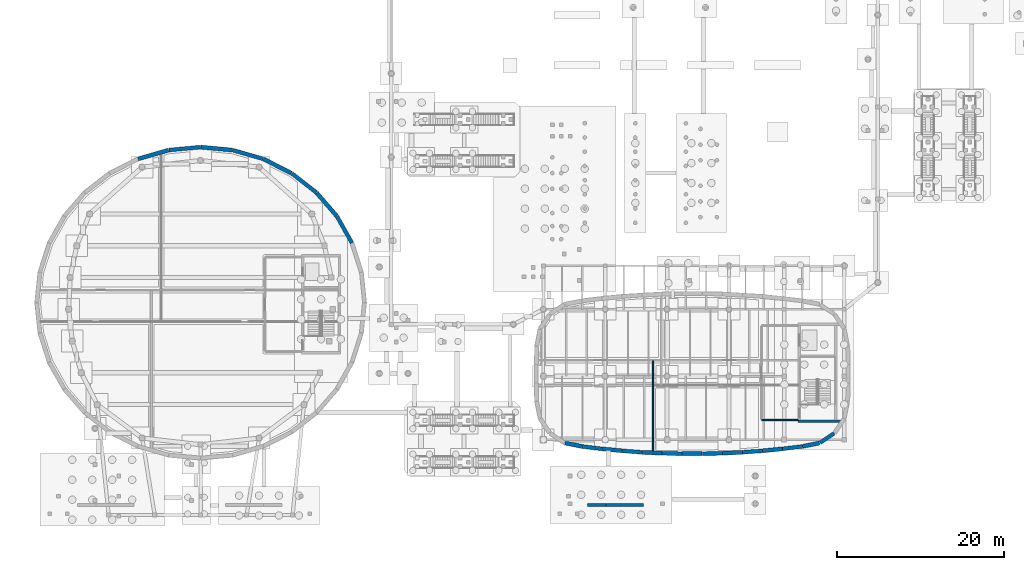
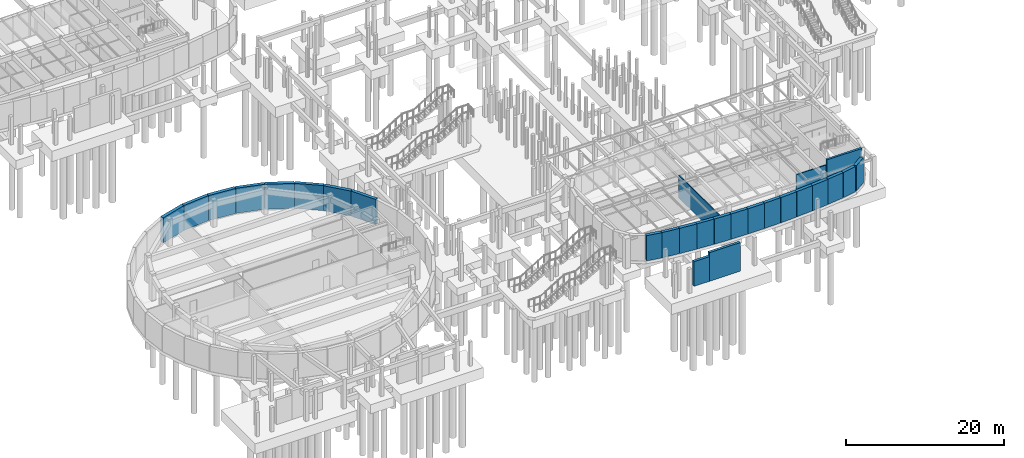
# One storey, part 33 of 45: 27 walls.
"""IFC4 building model written with IfcOpenShell, lengths in metres."""

from ifc_helpers import new_model, si_unit, direction, frame, frame_2d, origin, place, context, subcontext, project, spatial, rectangle, extrude, material, layer, layer_set, type_object, element, save


model = new_model("IFC4")

# Units and contexts
model_context = context("Model", 3, precision=1e-05, world=origin(), true_north=direction((0.0, 1.0)))
body_context = subcontext(model_context, "Body", "Model", "MODEL_VIEW")
ifc_project = project(units=[si_unit("LENGTHUNIT", "METRE"), si_unit("AREAUNIT", "SQUARE_METRE"), si_unit("VOLUMEUNIT", "CUBIC_METRE"), si_unit("PLANEANGLEUNIT", "RADIAN"), si_unit("MASSUNIT", "GRAM", prefix="KILO")], contexts=[model_context])

# Site, building, storey
site_placement = place(None, origin())
site = spatial("IfcSite", under=ifc_project, at=site_placement, CompositionType="ELEMENT")
building_placement = place(site_placement, origin())
building = spatial("IfcBuilding", under=site, at=building_placement, Name="Corveleigh Park Community Centre", CompositionType="ELEMENT")
storey_placement = place(building_placement, frame((0.0, 0.0, -4.199951171875)))
storey = spatial("IfcBuildingStorey", under=building, at=storey_placement, Name="B1", CompositionType="ELEMENT", Elevation=-4.199951171875)

# Walls
ifc_material_1 = material(Name="Gypsum acoustic stud partition", Category="gypsum")
ifc_layer_1 = layer(ifc_material_1, 0.14990234375, Name="Gypsum acoustic stud partition", Category="gypsum")
ifc_layer_set_1 = layer_set([ifc_layer_1], Name="Gypsum acoustic stud partition")
wall_type_1 = type_object("IfcWallType", Name="WL-PRT-150", PredefinedType="PARTITIONING", material=ifc_layer_set_1)
wall_1_placement = place(storey_placement, frame((98.10009765625, 13.550048828125, 0.0), z_axis=(0.0, 0.0, 1.0), x_axis=(1.0, 0.0, 0.0)))
element("IfcWall", 1, at=wall_1_placement, inside=storey, type_object=wall_type_1, Name="CORE4 lobby south wall", PredefinedType="PARTITIONING", context=body_context, shape_type="SweptSolid", body=[
    extrude(rectangle(XDim=4.364990234375, YDim=0.14990234375, at=frame_2d((2.1826171875, 0.0))), origin(), (0.0, 0.0, 1.0), 3.284912109375),
])
wall_2_placement = place(storey_placement, frame((85.10009765625, 9.862060546875, 0.0), z_axis=(0.0, 0.0, 1.0), x_axis=(0.0, 1.0, 0.0)))
element("IfcWall", 2, at=wall_2_placement, inside=storey, type_object=wall_type_1, Name="Community Food Pantry Store partition", PredefinedType="PARTITIONING", context=body_context, shape_type="SweptSolid", body=[
    extrude(rectangle(XDim=10.7919921875, YDim=0.14990234375, at=frame_2d((5.39599609375, 0.0))), origin(), (0.0, 0.0, 1.0), 3.47900390625),
])
ifc_material_2 = material(Name="Concrete C40/50", Category="concrete")
ifc_layer_2 = layer(ifc_material_2, 0.449951171875, Name="Concrete C40/50", Category="concrete")
ifc_layer_set_2 = layer_set([ifc_layer_2], Name="Concrete C40/50")
wall_type_2 = type_object("IfcWallType", Name="WL-RET-450", PredefinedType="STANDARD", material=ifc_layer_set_2)
wall_3_placement = place(storey_placement, frame((47.31201171875, 37.907958984375, 0.0), z_axis=(0.0, 0.0, 1.0), x_axis=(0.490660356263, -0.871350913692, 0.0)))
element("IfcWall", 3, at=wall_3_placement, inside=storey, type_object=wall_type_2, Name="V1 B1 retaining wall", PredefinedType="STANDARD", context=body_context, shape_type="SweptSolid", body=[
    extrude(rectangle(XDim=3.6298828125, YDim=0.449951171875, at=frame_2d((1.81494140625, 0.0))), origin(), (0.0, 0.0, 1.0), 3.866943359375),
])
wall_4_placement = place(storey_placement, frame((41.912109375, 43.047119140625, 0.0), z_axis=(0.0, 0.0, 1.0), x_axis=(0.788858786569, -0.614574499025, 0.0)))
element("IfcWall", 4, at=wall_4_placement, inside=storey, type_object=wall_type_2, Name="V1 B1 retaining wall", PredefinedType="STANDARD", context=body_context, shape_type="SweptSolid", body=[
    extrude(rectangle(XDim=3.705078125, YDim=0.449951171875, at=frame_2d((1.8525390625, 0.0))), origin(), (0.0, 0.0, 1.0), 3.866943359375),
])
wall_5_placement = place(storey_placement, frame((34.85205078125, 45.8349609375, 0.0), z_axis=(0.0, 0.0, 1.0), x_axis=(0.960930032161, -0.276791389481, 0.0)))
element("IfcWall", 5, at=wall_5_placement, inside=storey, type_object=wall_type_2, Name="V1 B1 retaining wall", PredefinedType="STANDARD", context=body_context, shape_type="SweptSolid", body=[
    extrude(rectangle(XDim=3.76806640625, YDim=0.449951171875, at=frame_2d((1.884033203125, 0.0))), origin(), (0.0, 0.0, 1.0), 3.866943359375),
])
wall_6_placement = place(storey_placement, frame((27.205078125, 45.845947265625, 0.0), z_axis=(0.0, 0.0, 1.0), x_axis=(0.995684868215, 0.092798939691, 0.0)))
element("IfcWall", 6, at=wall_6_placement, inside=storey, type_object=wall_type_2, Name="V1 B1 retaining wall", PredefinedType="STANDARD", context=body_context, shape_type="SweptSolid", body=[
    extrude(rectangle(XDim=3.783203125, YDim=0.449951171875, at=frame_2d((1.8916015625, 0.0))), origin(), (0.0, 0.0, 1.0), 3.866943359375),
])
wall_7_placement = place(storey_placement, frame((78.97998046875, 10.10791015625, 0.0), z_axis=(0.0, 0.0, 1.0), x_axis=(-0.99256366712, 0.121726606435, 0.0)))
element("IfcWall", 7, at=wall_7_placement, inside=storey, type_object=wall_type_2, Name="V3 B1 retaining wall", PredefinedType="STANDARD", context=body_context, shape_type="SweptSolid", body=[
    extrude(rectangle(XDim=2.3828125, YDim=0.449951171875, at=frame_2d((1.19140625, 0.0))), origin(), (0.0, 0.0, 1.0), 3.89697265625),
])
wall_8_placement = place(storey_placement, frame((83.777099609375, 9.698974609375, 0.0), z_axis=(0.0, 0.0, 1.0), x_axis=(-0.997372398559, 0.07244514195, 0.0)))
element("IfcWall", 8, at=wall_8_placement, inside=storey, type_object=wall_type_2, Name="V3 B1 retaining wall", PredefinedType="STANDARD", context=body_context, shape_type="SweptSolid", body=[
    extrude(rectangle(XDim=2.389404296875, YDim=0.449951171875, at=frame_2d((1.19482421875, 0.0))), origin(), (0.0, 0.0, 1.0), 3.89697265625),
])
for number, where, z_axis, x_axis, name in (
    (9, (88.5869140625, 9.52197265625, 0.0), (0.0, 0.0, 1.0), (-0.999704086624, 0.02432568987, 0.0), "V3 B1 retaining wall"),
    (10, (93.40087890625, 9.580078125, 0.0), (0.0, 0.0, 1.0), (-0.999704086624, -0.02432568987, 0.0), "V3 B1 retaining wall"),
):
    element("IfcWall", number, at=place(storey_placement, frame(where, z_axis=z_axis, x_axis=x_axis)), inside=storey, type_object=wall_type_2, Name=name, PredefinedType="STANDARD", context=body_context, shape_type="SweptSolid", body=[
        extrude(rectangle(XDim=2.388671875, YDim=0.449951171875, at=frame_2d((1.1943359375, 0.0))), origin(), (0.0, 0.0, 1.0), 3.89697265625),
    ])
wall_9_placement = place(storey_placement, frame((98.2060546875, 9.8720703125, 0.0), z_axis=(0.0, 0.0, 1.0), x_axis=(-0.997372398559, -0.07244514195, 0.0)))
element("IfcWall", 11, at=wall_9_placement, inside=storey, type_object=wall_type_2, Name="V3 B1 retaining wall", PredefinedType="STANDARD", context=body_context, shape_type="SweptSolid", body=[
    extrude(rectangle(XDim=2.389404296875, YDim=0.449951171875, at=frame_2d((1.19482421875, 0.0))), origin(), (0.0, 0.0, 1.0), 3.89697265625),
])
wall_10_placement = place(storey_placement, frame((102.985107421875, 10.39794921875, 0.0), z_axis=(0.0, 0.0, 1.0), x_axis=(-0.99256366712, -0.121726606435, 0.0)))
element("IfcWall", 12, at=wall_10_placement, inside=storey, type_object=wall_type_2, Name="V3 B1 retaining wall", PredefinedType="STANDARD", context=body_context, shape_type="SweptSolid", body=[
    extrude(rectangle(XDim=2.3828125, YDim=0.449951171875, at=frame_2d((1.19140625, 0.0))), origin(), (0.0, 0.0, 1.0), 3.89697265625),
])
wall_11_placement = place(storey_placement, frame((106.77294921875, 11.951904296875, 0.0), z_axis=(0.0, 0.0, 1.0), x_axis=(-0.831373235427, -0.55571444413, 0.0)))
element("IfcWall", 13, at=wall_11_placement, inside=storey, type_object=wall_type_2, Name="V3 B1 retaining wall", PredefinedType="STANDARD", context=body_context, shape_type="SweptSolid", body=[
    extrude(rectangle(XDim=1.9990234375, YDim=0.449951171875, at=frame_2d((0.99951171875, 0.0))), origin(), (0.0, 0.0, 1.0), 3.89697265625),
])
ifc_layer_3 = layer(ifc_material_2, 0.47998046875, Name="Concrete C40/50", Category="concrete")
ifc_layer_set_3 = layer_set([ifc_layer_3], Name="Concrete C40/50")
wall_type_3 = type_object("IfcWallType", Name="WL-RET-480", PredefinedType="STANDARD", material=ifc_layer_set_3)
wall_12_placement = place(storey_placement, frame((44.87890625, 40.72900390625, 0.0), z_axis=(0.0, 0.0, 1.0), x_axis=(0.654278596364, -0.756253607158, 0.0)))
element("IfcWall", 14, at=wall_12_placement, inside=storey, type_object=wall_type_3, Name="V1 B1 retaining wall", PredefinedType="STANDARD", context=body_context, shape_type="SweptSolid", body=[
    extrude(rectangle(XDim=3.665283203125, YDim=0.47998046875, at=frame_2d((1.83251953125, 0.0))), origin(), (0.0, 0.0, 1.0), 3.866943359375),
])
wall_13_placement = place(storey_placement, frame((38.527099609375, 44.77099609375, 0.0), z_axis=(0.0, 0.0, 1.0), x_axis=(0.891722284503, -0.452582994952, 0.0)))
element("IfcWall", 15, at=wall_13_placement, inside=storey, type_object=wall_type_3, Name="V1 B1 retaining wall", PredefinedType="STANDARD", context=body_context, shape_type="SweptSolid", body=[
    extrude(rectangle(XDim=3.740966796875, YDim=0.47998046875, at=frame_2d((1.87060546875, 0.0))), origin(), (0.0, 0.0, 1.0), 3.866943359375),
])
wall_14_placement = place(storey_placement, frame((31.028076171875, 46.197021484375, 0.0), z_axis=(0.0, 0.0, 1.0), x_axis=(0.995684868215, -0.092798939691, 0.0)))
element("IfcWall", 16, at=wall_14_placement, inside=storey, type_object=wall_type_3, Name="V1 B1 retaining wall", PredefinedType="STANDARD", context=body_context, shape_type="SweptSolid", body=[
    extrude(rectangle(XDim=3.783203125, YDim=0.47998046875, at=frame_2d((1.8916015625, 0.0))), origin(), (0.0, 0.0, 1.0), 3.866943359375),
])
wall_15_placement = place(storey_placement, frame((23.527099609375, 44.7919921875, 0.0), z_axis=(0.0, 0.0, 1.0), x_axis=(0.960930032161, 0.276791389481, 0.0)))
element("IfcWall", 17, at=wall_15_placement, inside=storey, type_object=wall_type_3, Name="V1 B1 retaining wall", PredefinedType="STANDARD", context=body_context, shape_type="SweptSolid", body=[
    extrude(rectangle(XDim=3.76806640625, YDim=0.47998046875, at=frame_2d((1.884033203125, 0.0))), origin(), (0.0, 0.0, 1.0), 3.866943359375),
])
wall_16_placement = place(storey_placement, frame((81.3759765625, 9.8740234375, 0.0), z_axis=(0.0, 0.0, 1.0), x_axis=(-0.995277042211, 0.097075276191, 0.0)))
element("IfcWall", 18, at=wall_16_placement, inside=storey, type_object=wall_type_3, Name="V3 B1 retaining wall", PredefinedType="STANDARD", context=body_context, shape_type="SweptSolid", body=[
    extrude(rectangle(XDim=2.38916015625, YDim=0.47998046875, at=frame_2d((1.194580078125, 0.0))), origin(), (0.0, 0.0, 1.0), 3.89697265625),
])
wall_17_placement = place(storey_placement, frame((86.180908203125, 9.580078125, 0.0), z_axis=(0.0, 0.0, 1.0), x_axis=(-0.99878097173, 0.049361629934, 0.0)))
element("IfcWall", 19, at=wall_17_placement, inside=storey, type_object=wall_type_3, Name="V3 B1 retaining wall", PredefinedType="STANDARD", context=body_context, shape_type="SweptSolid", body=[
    extrude(rectangle(XDim=2.388916015625, YDim=0.47998046875, at=frame_2d((1.1943359375, 0.0))), origin(), (0.0, 0.0, 1.0), 3.89697265625),
])
wall_18_placement = place(storey_placement, frame((90.9951171875, 9.52197265625, 0.0), z_axis=(0.0, 0.0, 1.0), x_axis=(-1.0, 0.0, 0.0)))
element("IfcWall", 20, at=wall_18_placement, inside=storey, type_object=wall_type_3, Name="V3 B1 retaining wall", PredefinedType="STANDARD", context=body_context, shape_type="SweptSolid", body=[
    extrude(rectangle(XDim=2.39013671875, YDim=0.47998046875, at=frame_2d((1.195068359375, 0.0))), origin(), (0.0, 0.0, 1.0), 3.89697265625),
])
wall_19_placement = place(storey_placement, frame((95.804931640625, 9.697998046875, 0.0), z_axis=(0.0, 0.0, 1.0), x_axis=(-0.99878097173, -0.049361629934, 0.0)))
element("IfcWall", 21, at=wall_19_placement, inside=storey, type_object=wall_type_3, Name="V3 B1 retaining wall", PredefinedType="STANDARD", context=body_context, shape_type="SweptSolid", body=[
    extrude(rectangle(XDim=2.388916015625, YDim=0.47998046875, at=frame_2d((1.1943359375, 0.0))), origin(), (0.0, 0.0, 1.0), 3.89697265625),
])
wall_20_placement = place(storey_placement, frame((100.60205078125, 10.10595703125, 0.0), z_axis=(0.0, 0.0, 1.0), x_axis=(-0.995277042211, -0.097075276191, 0.0)))
element("IfcWall", 22, at=wall_20_placement, inside=storey, type_object=wall_type_3, Name="V3 B1 retaining wall", PredefinedType="STANDARD", context=body_context, shape_type="SweptSolid", body=[
    extrude(rectangle(XDim=2.38916015625, YDim=0.47998046875, at=frame_2d((1.194580078125, 0.0))), origin(), (0.0, 0.0, 1.0), 3.89697265625),
])
for number, where, z_axis, x_axis, name in (
    (23, (105.012939453125, 10.800048828125, 0.0), (0.0, 0.0, 1.0), (-0.980828799122, -0.194871410969, 0.0), "V3 B1 retaining wall"),
    (24, (76.5849609375, 10.403076171875, 0.0), (0.0, 0.0, 1.0), (-0.980828799122, 0.194871410969, 0.0), "V3 B1 retaining wall"),
):
    element("IfcWall", number, at=place(storey_placement, frame(where, z_axis=z_axis, x_axis=x_axis)), inside=storey, type_object=wall_type_3, Name=name, PredefinedType="STANDARD", context=body_context, shape_type="SweptSolid", body=[
        extrude(rectangle(XDim=2.037109375, YDim=0.47998046875, at=frame_2d((1.0185546875, 0.0))), origin(), (0.0, 0.0, 1.0), 3.89697265625),
    ])
ifc_layer_4 = layer(ifc_material_2, 0.300048828125, Name="Concrete C40/50", Category="concrete")
ifc_layer_set_4 = layer_set([ifc_layer_4], Name="Concrete C40/50")
wall_type_4 = type_object("IfcWallType", Name="WL-SHR-300", PredefinedType="SHEAR", material=ifc_layer_set_4)
wall_21_placement = place(storey_placement, frame((102.449951171875, 13.39990234375, -0.4150390625), z_axis=(0.0, 0.0, 1.0), x_axis=(1.0, 0.0, 0.0)))
element("IfcWall", 25, at=wall_21_placement, inside=storey, type_object=wall_type_4, Name="CORE4 south shear wall", PredefinedType="SHEAR", context=body_context, shape_type="SweptSolid", body=[
    extrude(rectangle(XDim=5.091064453125, YDim=0.300048828125, at=frame_2d((2.54541015625, 0.0))), origin(), (0.0, 0.0, 1.0), 4.614990234375),
])
ifc_layer_5 = layer(ifc_material_2, 0.3798828125, Name="Concrete C40/50", Category="concrete")
ifc_layer_set_5 = layer_set([ifc_layer_5], Name="Concrete C40/50")
wall_type_5 = type_object("IfcWallType", Name="WL-SUP-380", PredefinedType="SHEAR", material=ifc_layer_set_5)
wall_22_placement = place(storey_placement, frame((77.25, 3.39990234375, -0.4150390625), z_axis=(0.0, 0.0, 1.0), x_axis=(1.0, 0.0, 0.0)))
element("IfcWall", 26, at=wall_22_placement, inside=storey, type_object=wall_type_5, Name="Ramp lower cheek wall", PredefinedType="SHEAR", context=body_context, shape_type="SweptSolid", body=[
    extrude(rectangle(XDim=2.25, YDim=0.3798828125, at=frame_2d((1.125, 0.0))), origin(), (0.0, 0.0, 1.0), 3.820068359375),
])
wall_23_placement = place(storey_placement, frame((79.5, 3.39990234375, -0.4150390625), z_axis=(0.0, 0.0, 1.0), x_axis=(1.0, 0.0, 0.0)))
element("IfcWall", 27, at=wall_23_placement, inside=storey, type_object=wall_type_5, Name="Ramp upper cheek wall", PredefinedType="SHEAR", context=body_context, shape_type="SweptSolid", body=[
    extrude(rectangle(XDim=4.5, YDim=0.3798828125, at=frame_2d((2.25, 0.0))), origin(), (0.0, 0.0, 1.0), 4.409912109375),
])

save(model, "model.ifc")
